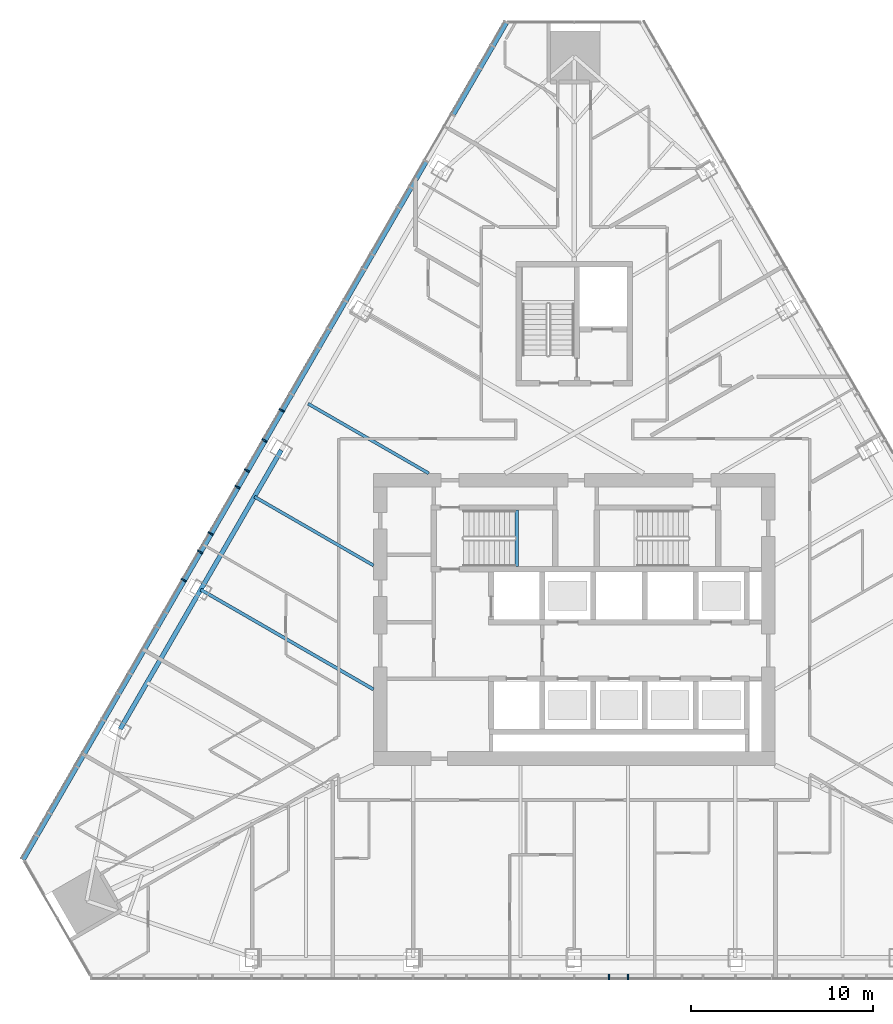
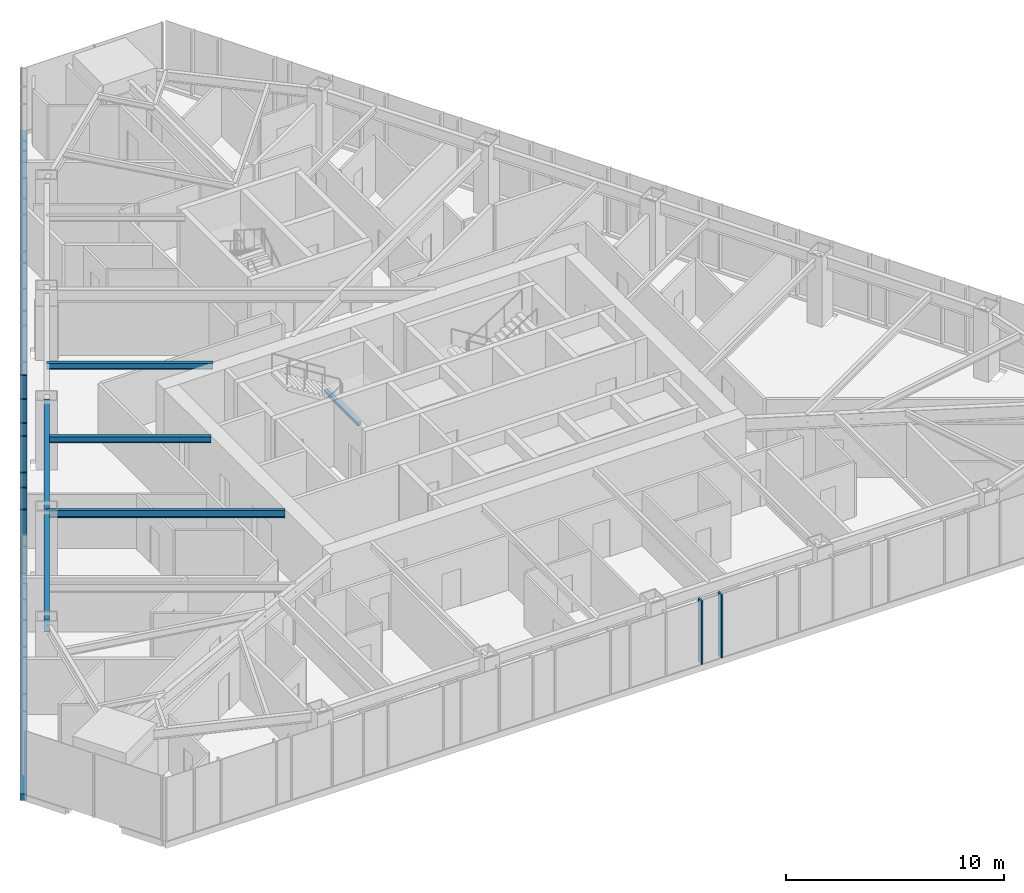
# One storey, part 4 of 19: 10 members, 5 beams, 2 elements without a shape of their own.
"""IFC4 building model written with IfcOpenShell, lengths in metres."""

from ifc_helpers import new_model, si_unit, direction, frame, origin, origin_2d, place, context, subcontext, project, spatial, rectangle, i_section, extrude, material, layer, layer_set, material_profile, profile_set, type_object, element, aggregate, save


model = new_model("IFC4")

# Units and contexts
model_context = context("Model", 3, precision=1e-05, world=origin(), true_north=direction((0.0, 1.0)))
body_context = subcontext(model_context, "Body", "Model", "MODEL_VIEW")
ifc_project = project(units=[si_unit("LENGTHUNIT", "METRE"), si_unit("AREAUNIT", "SQUARE_METRE"), si_unit("VOLUMEUNIT", "CUBIC_METRE"), si_unit("PLANEANGLEUNIT", "RADIAN"), si_unit("MASSUNIT", "GRAM", prefix="KILO")], contexts=[model_context])

# Site, building, storey
site_placement = place(None, origin())
site = spatial("IfcSite", under=ifc_project, at=site_placement, CompositionType="ELEMENT")
building_placement = place(site_placement, origin())
building = spatial("IfcBuilding", under=site, at=building_placement, Name="Firuza Gate Tower and Library", CompositionType="ELEMENT")
storey_placement = place(building_placement, frame((0.0, 0.0, 179.199951171875)))
storey = spatial("IfcBuildingStorey", under=building, at=storey_placement, Name="L41", CompositionType="ELEMENT", Elevation=179.199951171875)

# Curtain wall, members
ifc_material_1 = material(Name="Aluminium 6063-T6", Category="aluminium")
ifc_layer = layer(ifc_material_1, 0.14990234375)
ifc_layer_set = layer_set([ifc_layer], Name="Unitised curtain wall, hotel")
curtain_wall_type = type_object("IfcCurtainWallType", Name="Unitised curtain wall, hotel", PredefinedType="NOTDEFINED", material=ifc_layer_set)
placement = place(storey_placement, origin())
curtain_wall_1 = element("IfcCurtainWall", 1, at=placement, inside=storey, type_object=curtain_wall_type, Name="CW2 L41 S face", PredefinedType="NOTDEFINED")
ifc_material_2 = material(Name="Aluminium 6063-T6", Category="aluminium")
ifc_material_profile_1 = material_profile(ifc_material_2, rectangle(XDim=0.320068359375, YDim=0.080078125, at=origin_2d()))
ifc_profile_set_1 = profile_set([ifc_material_profile_1], Name="Aluminium 6063-T6")
member_type_1 = type_object("IfcMemberType", Name="Curtain wall mullion 80x320", PredefinedType="MULLION", material=ifc_profile_set_1)
member_1_placement = place(storey_placement, frame((77.946044921875, 55.399658203125, 0.150146484375), z_axis=(0.0, 0.0, 1.0), x_axis=(0.0, 1.0, 0.0)))
member_1 = element("IfcMember", 2, at=member_1_placement, type_object=member_type_1, Name="Mullion", PredefinedType="MULLION", context=body_context, shape_type="SweptSolid", body=[
    extrude(rectangle(XDim=0.320068359375, YDim=0.080078125, at=origin_2d()), origin(), (0.0, 0.0, 1.0), 3.5498046875),
])
member_2_placement = place(storey_placement, frame((76.90673828125, 55.399658203125, 0.150146484375), z_axis=(0.0, 0.0, 1.0), x_axis=(0.0, 1.0, 0.0)))
member_2 = element("IfcMember", 3, at=member_2_placement, type_object=member_type_1, Name="Mullion", PredefinedType="MULLION", context=body_context, shape_type="SweptSolid", body=[
    extrude(rectangle(XDim=0.320068359375, YDim=0.080078125, at=origin_2d()), origin(), (0.0, 0.0, 1.0), 3.5498046875),
])
aggregate(curtain_wall_1, [member_1, member_2])

curtain_wall_2 = element("IfcCurtainWall", 4, at=placement, inside=storey, type_object=curtain_wall_type, Name="CW2 L41 W face", PredefinedType="NOTDEFINED")
member_3_placement = place(storey_placement, frame((58.025634765625, 84.800048828125, 0.150146484375), z_axis=(0.0, 0.0, 1.0), x_axis=(0.866025403784, -0.5, 0.0)))
member_3 = element("IfcMember", 5, at=member_3_placement, type_object=member_type_1, Name="Mullion", PredefinedType="MULLION", context=body_context, shape_type="SweptSolid", body=[
    extrude(rectangle(XDim=0.320068359375, YDim=0.080078125, at=origin_2d()), origin(), (0.0, 0.0, 1.0), 3.5498046875),
])
member_4_placement = place(storey_placement, frame((56.552490234375, 82.248779296875, 0.150146484375), z_axis=(0.0, 0.0, 1.0), x_axis=(0.866025403784, -0.5, 0.0)))
member_4 = element("IfcMember", 6, at=member_4_placement, type_object=member_type_1, Name="Mullion", PredefinedType="MULLION", context=body_context, shape_type="SweptSolid", body=[
    extrude(rectangle(XDim=0.320068359375, YDim=0.080078125, at=origin_2d()), origin(), (0.0, 0.0, 1.0), 3.5498046875),
])
member_5_placement = place(storey_placement, frame((55.07958984375, 79.697265625, 0.150146484375), z_axis=(0.0, 0.0, 1.0), x_axis=(0.866025403784, -0.5, 0.0)))
member_5 = element("IfcMember", 7, at=member_5_placement, type_object=member_type_1, Name="Mullion", PredefinedType="MULLION", context=body_context, shape_type="SweptSolid", body=[
    extrude(rectangle(XDim=0.320068359375, YDim=0.080078125, at=origin_2d()), origin(), (0.0, 0.0, 1.0), 3.5498046875),
])
member_6_placement = place(storey_placement, frame((53.6064453125, 77.14599609375, 0.150146484375), z_axis=(0.0, 0.0, 1.0), x_axis=(0.866025403784, -0.5, 0.0)))
member_6 = element("IfcMember", 8, at=member_6_placement, type_object=member_type_1, Name="Mullion", PredefinedType="MULLION", context=body_context, shape_type="SweptSolid", body=[
    extrude(rectangle(XDim=0.320068359375, YDim=0.080078125, at=origin_2d()), origin(), (0.0, 0.0, 1.0), 3.5498046875),
])
member_7_placement = place(storey_placement, frame((58.97900390625, 86.451416015625, 0.150146484375), z_axis=(0.0, 0.0, 1.0), x_axis=(0.866025403784, -0.5, 0.0)))
member_7 = element("IfcMember", 9, at=member_7_placement, type_object=member_type_1, Name="Mullion", PredefinedType="MULLION", context=body_context, shape_type="SweptSolid", body=[
    extrude(rectangle(XDim=0.320068359375, YDim=0.080078125, at=origin_2d()), origin(), (0.0, 0.0, 1.0), 3.5498046875),
])
member_8_placement = place(storey_placement, frame((57.072265625, 83.14892578125, 0.150146484375), z_axis=(0.0, 0.0, 1.0), x_axis=(0.866025403784, -0.5, 0.0)))
member_8 = element("IfcMember", 10, at=member_8_placement, type_object=member_type_1, Name="Mullion", PredefinedType="MULLION", context=body_context, shape_type="SweptSolid", body=[
    extrude(rectangle(XDim=0.320068359375, YDim=0.080078125, at=origin_2d()), origin(), (0.0, 0.0, 1.0), 3.5498046875),
])
member_9_placement = place(storey_placement, frame((54.498046875, 78.690185546875, 0.150146484375), z_axis=(0.0, 0.0, 1.0), x_axis=(0.866025403784, -0.5, 0.0)))
member_9 = element("IfcMember", 11, at=member_9_placement, type_object=member_type_1, Name="Mullion", PredefinedType="MULLION", context=body_context, shape_type="SweptSolid", body=[
    extrude(rectangle(XDim=0.320068359375, YDim=0.080078125, at=origin_2d()), origin(), (0.0, 0.0, 1.0), 3.5498046875),
])
ifc_material_3 = material(Name="Aluminium 6063-T6", Category="aluminium")
ifc_material_profile_2 = material_profile(ifc_material_3, rectangle(XDim=0.320068359375, YDim=0.35009765625, at=origin_2d()))
ifc_profile_set_2 = profile_set([ifc_material_profile_2], Name="Aluminium 6063-T6")
member_type_2 = type_object("IfcMemberType", Name="Curtain wall transom 350x320", PredefinedType="USERDEFINED", material=ifc_profile_set_2)
member_10_placement = place(storey_placement, frame((71.283203125, 107.7626953125, -0.02490234375), z_axis=(-0.500000753464, -0.866024968771, 0.0), x_axis=(0.866024968771, -0.500000753464, 0.0)))
member_10 = element("IfcMember", 12, at=member_10_placement, type_object=member_type_2, Name="Transom", ObjectType="TRANSOM", PredefinedType="USERDEFINED", context=body_context, shape_type="SweptSolid", body=[
    extrude(rectangle(XDim=0.320068359375, YDim=0.35009765625, at=origin_2d()), origin(), (0.0, 0.0, 1.0), 53.02978515625),
])
aggregate(curtain_wall_2, [member_3, member_4, member_5, member_6, member_10, member_7, member_8, member_9])

# Beams
ifc_material_4 = material(Name="Concrete C35/45", Category="concrete")
ifc_material_profile_3 = material_profile(ifc_material_4, rectangle(XDim=0.199951171875, YDim=0.199951171875, at=origin_2d()))
ifc_profile_set_3 = profile_set([ifc_material_profile_3], Name="Concrete C35/45")
beam_type_1 = type_object("IfcBeamType", Name="Stair landing bearer 200x200", PredefinedType="BEAM", material=ifc_profile_set_3)
beam_1_placement = place(storey_placement, frame((71.840087890625, 77.89990234375, 1.650146484375), z_axis=(0.0, 1.0, 0.0), x_axis=(-1.0, 0.0, 0.0)))
element("IfcBeam", 13, at=beam_1_placement, inside=storey, type_object=beam_type_1, Name="Landing bearer L41 stair 1", PredefinedType="BEAM", context=body_context, shape_type="SweptSolid", body=[
    extrude(rectangle(XDim=0.199951171875, YDim=0.199951171875, at=origin_2d()), origin(), (0.0, 0.0, 1.0), 3.080078125),
])
ifc_material_5 = material(Name="Steel S355", Category="steel")
ifc_material_profile_4 = material_profile(ifc_material_5, i_section(OverallWidth=0.1708984375, OverallDepth=0.35498046875, WebThickness=0.007080078125, FlangeThickness=0.01171875, at=origin_2d()))
ifc_profile_set_4 = profile_set([ifc_material_profile_4], Name="Steel S355")
beam_type_2 = type_object("IfcBeamType", Name="W360x51 Floor beam", PredefinedType="JOIST", material=ifc_profile_set_4)
beam_2_placement = place(storey_placement, frame((60.414306640625, 86.8173828125, 3.5224609375), z_axis=(0.866022634277, -0.500004796897, 0.0), x_axis=(0.500004796897, 0.866022634277, 0.0)))
element("IfcBeam", 14, at=beam_2_placement, inside=storey, type_object=beam_type_2, Name="Floor beam L41 s82", PredefinedType="JOIST", context=body_context, shape_type="SweptSolid", body=[
    extrude(i_section(OverallWidth=0.1708984375, OverallDepth=0.35498046875, WebThickness=0.007080078125, FlangeThickness=0.01171875, at=origin_2d()), origin(), (0.0, 0.0, 1.0), 7.634765625),
])
beam_3_placement = place(storey_placement, frame((57.472900390625, 81.722900390625, 3.5224609375), z_axis=(0.866031848217, -0.499988837749, 0.0), x_axis=(0.499988837749, 0.866031848217, 0.0)))
element("IfcBeam", 15, at=beam_3_placement, inside=storey, type_object=beam_type_2, Name="Floor beam L41 s83", PredefinedType="JOIST", context=body_context, shape_type="SweptSolid", body=[
    extrude(i_section(OverallWidth=0.1708984375, OverallDepth=0.35498046875, WebThickness=0.007080078125, FlangeThickness=0.01171875, at=origin_2d()), origin(), (0.0, 0.0, 1.0), 7.536865234375),
])
ifc_material_6 = material(Name="Steel S355", Category="steel")
ifc_material_profile_5 = material_profile(ifc_material_6, i_section(OverallWidth=0.177978515625, OverallDepth=0.406982421875, WebThickness=0.0078125, FlangeThickness=0.0126953125, at=origin_2d()))
ifc_profile_set_5 = profile_set([ifc_material_profile_5], Name="Steel S355")
beam_type_3 = type_object("IfcBeamType", Name="W410x60 Floor beam", PredefinedType="JOIST", material=ifc_profile_set_5)
beam_4_placement = place(storey_placement, frame((54.53173828125, 76.62841796875, 3.49658203125), z_axis=(0.866023451907, -0.500003380735, 0.0), x_axis=(0.500003380735, 0.866023451907, 0.0)))
element("IfcBeam", 16, at=beam_4_placement, inside=storey, type_object=beam_type_3, Name="Floor beam L41 s84", PredefinedType="JOIST", context=body_context, shape_type="SweptSolid", body=[
    extrude(i_section(OverallWidth=0.177978515625, OverallDepth=0.406982421875, WebThickness=0.0078125, FlangeThickness=0.0126953125, at=origin_2d()), origin(), (0.0, 0.0, 1.0), 10.93310546875),
])
ifc_material_7 = material(Name="Steel S355", Category="steel")
ifc_material_profile_6 = material_profile(ifc_material_7, i_section(OverallWidth=0.2529296875, OverallDepth=0.677978515625, WebThickness=0.01171875, FlangeThickness=0.016357421875, at=origin_2d()))
ifc_profile_set_6 = profile_set([ifc_material_profile_6], Name="Steel S355")
beam_type_4 = type_object("IfcBeamType", Name="W690x125 Edge beam", PredefinedType="SPANDREL", material=ifc_profile_set_6)
beam_5_placement = place(storey_placement, frame((58.943603515625, 84.270263671875, 3.361083984375), z_axis=(-0.499992693477, -0.866029622166, 0.0), x_axis=(0.866029622166, -0.499992693477, 0.0)))
element("IfcBeam", 17, at=beam_5_placement, inside=storey, type_object=beam_type_4, Name="Edge beam L41 e82", PredefinedType="SPANDREL", context=body_context, shape_type="SweptSolid", body=[
    extrude(i_section(OverallWidth=0.2529296875, OverallDepth=0.677978515625, WebThickness=0.01171875, FlangeThickness=0.016357421875, at=origin_2d()), origin(), (0.0, 0.0, 1.0), 17.647705078125),
])

save(model, "model.ifc")
